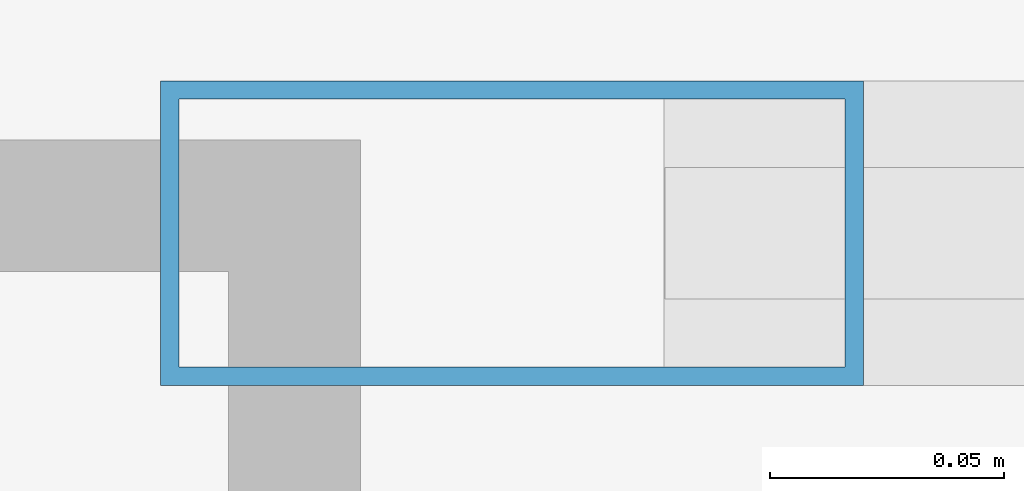
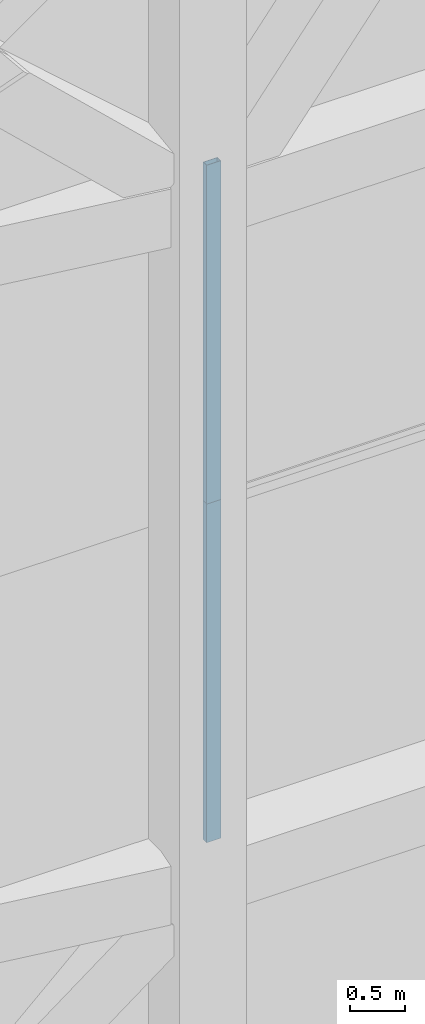
# One storey, part 2 of 28: 2 members, 2 elements without a shape of their own.
"""IFC4 building model written with IfcOpenShell, lengths in metres."""

from ifc_helpers import new_model, si_unit, direction, frame, origin, origin_2d, place, context, subcontext, project, spatial, hollow_rectangle, extrude, material, material_profile, profile_set, type_object, element, aggregate, save


model = new_model("IFC4")

# Units and contexts
model_context = context("Model", 3, precision=1e-05, world=origin(), true_north=direction((0.0, 1.0)))
body_context = subcontext(model_context, "Body", "Model", "MODEL_VIEW")
ifc_project = project(units=[si_unit("LENGTHUNIT", "METRE"), si_unit("AREAUNIT", "SQUARE_METRE"), si_unit("VOLUMEUNIT", "CUBIC_METRE"), si_unit("PLANEANGLEUNIT", "RADIAN"), si_unit("MASSUNIT", "GRAM", prefix="KILO")], contexts=[model_context])

# Site, building, storey
site_placement = place(None, origin())
site = spatial("IfcSite", under=ifc_project, at=site_placement, CompositionType="ELEMENT")
building_placement = place(site_placement, origin())
building = spatial("IfcBuilding", under=site, at=building_placement, Name="Tashvorn Skyway Center", CompositionType="ELEMENT")
storey_placement = place(building_placement, frame((0.0, 0.0, 277.60009765625)))
storey = spatial("IfcBuildingStorey", under=building, at=storey_placement, Name="Roof Level", CompositionType="ELEMENT", Elevation=277.60009765625)

# Curtain wall, member
ifc_material = material(Name="Thermally broken bronze-anodized aluminium 6063-T6", Category="aluminium")
curtain_wall_type = type_object("IfcCurtainWallType", Name="CW-CW-SKY", PredefinedType="NOTDEFINED", material=ifc_material)
curtain_wall_1_placement = place(storey_placement, origin())
curtain_wall_1 = element("IfcCurtainWall", 1, at=curtain_wall_1_placement, inside=storey, type_object=curtain_wall_type, Name="CROWN Lantern Fritted Curtain Wall T1 S-3", PredefinedType="NOTDEFINED")
ifc_material_profile = material_profile(ifc_material, hollow_rectangle(XDim=0.06494140625, YDim=0.14990234375, WallThickness=0.00390625, at=origin_2d()), Name="ALU-MULL-65x150")
ifc_profile_set = profile_set([ifc_material_profile], Name="Thermally broken bronze-anodized aluminium 6063-T6")
member_type = type_object("IfcMemberType", Name="CWM-CW-SKY", PredefinedType="MULLION", material=ifc_profile_set)
member_1_placement = place(storey_placement, frame((36.982421875, 17.780029296875, 7.52978515625), z_axis=(0.0, 0.0, 1.0), x_axis=(0.0, -1.0, 0.0)))
member_1 = element("IfcMember", 2, at=member_1_placement, type_object=member_type, Name="CW-SKY mullion 3", PredefinedType="MULLION", context=body_context, shape_type="SweptSolid", body=[
    extrude(hollow_rectangle(XDim=0.06494140625, YDim=0.14990234375, WallThickness=0.00390625, at=origin_2d()), origin(), (0.0, 0.0, 1.0), 3.76513671875),
])
aggregate(curtain_wall_1, [member_1])

curtain_wall_2_placement = place(storey_placement, origin())
curtain_wall_2 = element("IfcCurtainWall", 3, at=curtain_wall_2_placement, inside=storey, type_object=curtain_wall_type, Name="CROWN Lantern Fritted Curtain Wall T1 S-4", PredefinedType="NOTDEFINED")
member_2_placement = place(storey_placement, frame((36.982421875, 17.780029296875, 11.294921875), z_axis=(0.0, 0.0, 1.0), x_axis=(0.0, -1.0, 0.0)))
member_2 = element("IfcMember", 4, at=member_2_placement, type_object=member_type, Name="CW-SKY mullion 3", PredefinedType="MULLION", context=body_context, shape_type="SweptSolid", body=[
    extrude(hollow_rectangle(XDim=0.06494140625, YDim=0.14990234375, WallThickness=0.00390625, at=origin_2d()), origin(), (0.0, 0.0, 1.0), 3.764892578125),
])
aggregate(curtain_wall_2, [member_2])

save(model, "model.ifc")
